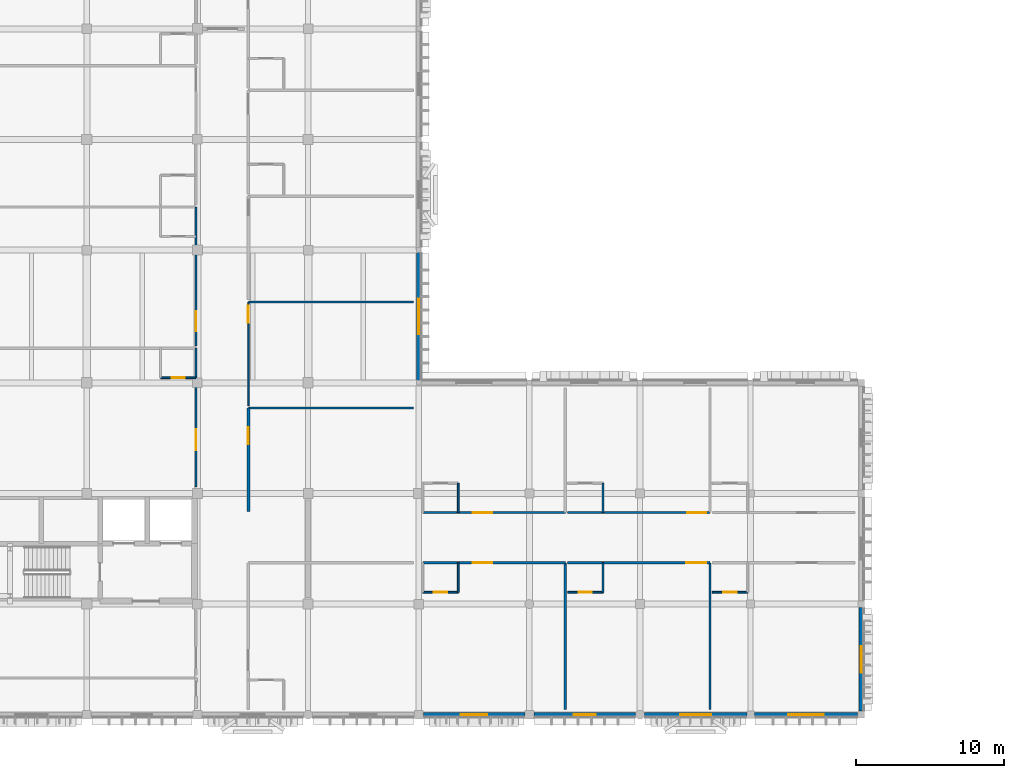
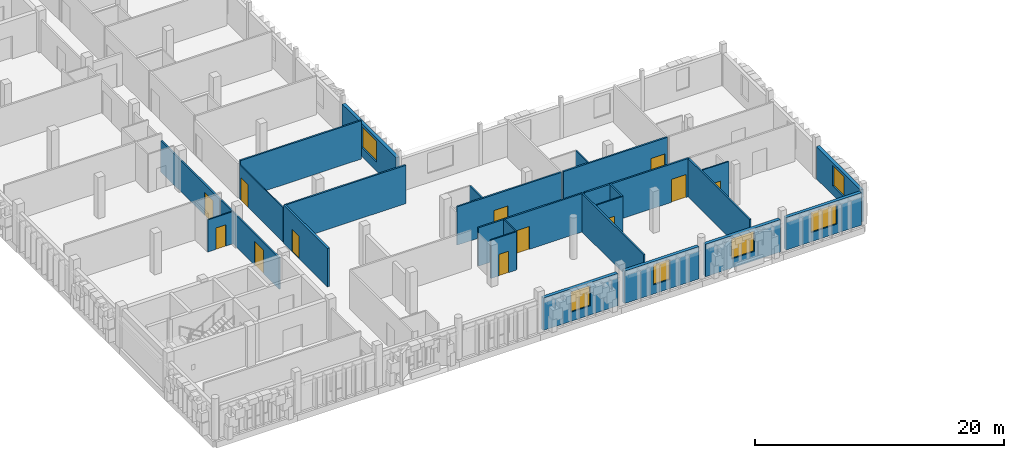
# One storey, part 16 of 48: 26 walls, 12 doors, 6 windows, 18 openings.
"""IFC4 building model written with IfcOpenShell, lengths in metres."""

from ifc_helpers import new_model, si_unit, direction, frame, frame_2d, origin, place, context, subcontext, project, spatial, rectangle, extrude, material, layer, layer_set, type_object, element, fill, save


model = new_model("IFC4")

# Units and contexts
model_context = context("Model", 3, precision=1e-05, world=origin(), true_north=direction((0.0, 1.0)))
body_context = subcontext(model_context, "Body", "Model", "MODEL_VIEW")
ifc_project = project(units=[si_unit("LENGTHUNIT", "METRE"), si_unit("AREAUNIT", "SQUARE_METRE"), si_unit("VOLUMEUNIT", "CUBIC_METRE"), si_unit("PLANEANGLEUNIT", "RADIAN"), si_unit("MASSUNIT", "GRAM", prefix="KILO")], contexts=[model_context])

# Site, building, storey
site_placement = place(None, origin())
site = spatial("IfcSite", under=ifc_project, at=site_placement, CompositionType="ELEMENT")
building_placement = place(site_placement, origin())
building = spatial("IfcBuilding", under=site, at=building_placement, Name="Dalvernix Boulevard General Hospital", CompositionType="ELEMENT")
storey_placement = place(building_placement, frame((0.0, 0.0, 17.85009765625)))
storey = spatial("IfcBuildingStorey", under=building, at=storey_placement, Name="L04", CompositionType="ELEMENT", Elevation=17.85009765625)

# Wall, opening, window
ifc_material_1 = material(Name="Pressed Catalan clay brick and ceramic spandrel wall C35/45", Category="masonry")
ifc_layer_1 = layer(ifc_material_1, 0.300048828125)
ifc_layer_set_1 = layer_set([ifc_layer_1], Name="Pressed Catalan clay brick and ceramic spandrel wall C35/45 (WAL-EW-02)")
wall_type_1 = type_object("IfcWallType", Name="WAL-EW-02", PredefinedType="STANDARD", material=ifc_layer_set_1)
wall_1_placement = place(storey_placement, frame((30.0, 31.330078125, 0.0), z_axis=(0.0, 0.0, 1.0), x_axis=(0.0, -1.0, 0.0)))
wall_1 = element("IfcWall", 1, at=wall_1_placement, inside=storey, type_object=wall_type_1, Name="L04 Catalan brick external wall E 4-3", PredefinedType="STANDARD", context=body_context, shape_type="SweptSolid", body=[
    extrude(rectangle(XDim=8.66015625, YDim=0.300048828125, at=frame_2d((4.330078125, 0.0))), origin(), (0.0, 0.0, 1.0), 3.219970703125),
])
opening_1_placement = place(wall_1_placement, frame((3.1298828125, 0.0, 0.89990234375)))
opening_1 = element("IfcOpeningElement", 2, at=opening_1_placement, cuts=wall_1, Name="Opening WN-04", PredefinedType="OPENING", context=body_context, shape_type="SweptSolid", body=[
    extrude(rectangle(XDim=2.39990234375, YDim=2.0400390625, at=frame_2d((1.199951171875, 1.02001953125))), frame((0.0, 0.159912109375, 0.0), z_axis=(0.0, -1.0, 0.0), x_axis=(1.0, 0.0, 0.0)), (0.0, 0.0, 1.0), 0.320068359375),
])
ifc_material_2 = material(Name="Thermally broken aluminium frame with solar-control double glazing", Category="aluminium")
window_type_1 = type_object("IfcWindowType", Name="WIN-WN-04", PartitioningType="SINGLE_PANEL", PredefinedType="WINDOW", material=ifc_material_2)
window_1_placement = place(opening_1_placement, origin())
window_1 = element("IfcWindow", 3, at=window_1_placement, inside=storey, type_object=window_type_1, Name="L04 clinical window WN-04 E 4-3", OverallHeight=2.0400390625, OverallWidth=2.39990234375, PartitioningType="SINGLE_PANEL", PredefinedType="WINDOW", context=body_context, shape_type="SweptSolid", body=[
    extrude(rectangle(XDim=2.39990234375, YDim=2.0400390625, at=frame_2d((1.199951171875, 1.02001953125))), frame((0.0, 0.030029296875, 0.0), z_axis=(0.0, -1.0, 0.0), x_axis=(1.0, 0.0, 0.0)), (0.0, 0.0, 1.0), 0.06005859375),
])
fill(opening_1, window_1)

wall_2_placement = place(storey_placement, frame((37.18994140625, 0.0, 0.0), z_axis=(0.0, 0.0, 1.0), x_axis=(-1.0, 0.0, 0.0)))
wall_2 = element("IfcWall", 4, at=wall_2_placement, inside=storey, type_object=wall_type_1, Name="L04 Catalan brick external wall S 4-0", PredefinedType="STANDARD", context=body_context, shape_type="SweptSolid", body=[
    extrude(rectangle(XDim=6.8798828125, YDim=0.300048828125, at=frame_2d((3.43994140625, 0.0))), origin(), (0.0, 0.0, 1.0), 3.169921875),
])
opening_2_placement = place(wall_2_placement, frame((2.5400390625, 0.0, 0.89990234375)))
opening_2 = element("IfcOpeningElement", 5, at=opening_2_placement, cuts=wall_2, Name="Opening WN-01", PredefinedType="OPENING", context=body_context, shape_type="SweptSolid", body=[
    extrude(rectangle(XDim=1.800048828125, YDim=1.989990234375, at=frame_2d((0.89990234375, 0.9951171875))), frame((0.0, 0.159912109375, 0.0), z_axis=(0.0, -1.0, 0.0), x_axis=(1.0, 0.0, 0.0)), (0.0, 0.0, 1.0), 0.320068359375),
])
window_type_2 = type_object("IfcWindowType", Name="WIN-WN-01", PartitioningType="SINGLE_PANEL", PredefinedType="WINDOW", material=ifc_material_2)
window_2_placement = place(opening_2_placement, origin())
window_2 = element("IfcWindow", 6, at=window_2_placement, inside=storey, type_object=window_type_2, Name="L04 clinical window WN-01 S 4-0", OverallHeight=1.989990234375, OverallWidth=1.800048828125, PartitioningType="SINGLE_PANEL", PredefinedType="WINDOW", context=body_context, shape_type="SweptSolid", body=[
    extrude(rectangle(XDim=1.800048828125, YDim=1.989990234375, at=frame_2d((0.89990234375, 0.9951171875))), frame((0.0, 0.030029296875, 0.0), z_axis=(0.0, -1.0, 0.0), x_axis=(1.0, 0.0, 0.0)), (0.0, 0.0, 1.0), 0.06005859375),
])
fill(opening_2, window_2)

wall_3_placement = place(storey_placement, frame((44.68994140625, 0.0, 0.0), z_axis=(0.0, 0.0, 1.0), x_axis=(-1.0, 0.0, 0.0)))
wall_3 = element("IfcWall", 7, at=wall_3_placement, inside=storey, type_object=wall_type_1, Name="L04 Catalan brick external wall S 5-0", PredefinedType="STANDARD", context=body_context, shape_type="SweptSolid", body=[
    extrude(rectangle(XDim=6.8798828125, YDim=0.300048828125, at=frame_2d((3.43994140625, 0.0))), origin(), (0.0, 0.0, 1.0), 3.169921875),
])
opening_3_placement = place(wall_3_placement, frame((2.68994140625, 0.0, 0.89990234375)))
opening_3 = element("IfcOpeningElement", 8, at=opening_3_placement, cuts=wall_3, Name="Opening WN-02", PredefinedType="OPENING", context=body_context, shape_type="SweptSolid", body=[
    extrude(rectangle(XDim=1.5, YDim=1.989990234375, at=frame_2d((0.75, 0.9951171875))), frame((0.0, 0.159912109375, 0.0), z_axis=(0.0, -1.0, 0.0), x_axis=(1.0, 0.0, 0.0)), (0.0, 0.0, 1.0), 0.320068359375),
])
window_type_3 = type_object("IfcWindowType", Name="WIN-WN-02", PartitioningType="SINGLE_PANEL", PredefinedType="WINDOW", material=ifc_material_2)
window_3_placement = place(opening_3_placement, origin())
window_3 = element("IfcWindow", 9, at=window_3_placement, inside=storey, type_object=window_type_3, Name="L04 clinical window WN-02 S 5-0", OverallHeight=1.989990234375, OverallWidth=1.5, PartitioningType="SINGLE_PANEL", PredefinedType="WINDOW", context=body_context, shape_type="SweptSolid", body=[
    extrude(rectangle(XDim=1.5, YDim=1.989990234375, at=frame_2d((0.75, 0.9951171875))), frame((0.0, 0.030029296875, 0.0), z_axis=(0.0, -1.0, 0.0), x_axis=(1.0, 0.0, 0.0)), (0.0, 0.0, 1.0), 0.06005859375),
])
fill(opening_3, window_3)

wall_4_placement = place(storey_placement, frame((52.239990234375, 0.0, 0.0), z_axis=(0.0, 0.0, 1.0), x_axis=(-1.0, 0.0, 0.0)))
wall_4 = element("IfcWall", 10, at=wall_4_placement, inside=storey, type_object=wall_type_1, Name="L04 Catalan brick external wall S 6-0", PredefinedType="STANDARD", context=body_context, shape_type="SweptSolid", body=[
    extrude(rectangle(XDim=6.929931640625, YDim=0.300048828125, at=frame_2d((3.46484375, 0.0))), origin(), (0.0, 0.0, 1.0), 3.169921875),
])
opening_4_placement = place(wall_4_placement, frame((2.4150390625, 0.0, 0.89990234375)))
opening_4 = element("IfcOpeningElement", 11, at=opening_4_placement, cuts=wall_4, Name="Opening WN-03", PredefinedType="OPENING", context=body_context, shape_type="SweptSolid", body=[
    extrude(rectangle(XDim=2.10009765625, YDim=1.989990234375, at=frame_2d((1.050048828125, 0.9951171875))), frame((0.0, 0.159912109375, 0.0), z_axis=(0.0, -1.0, 0.0), x_axis=(1.0, 0.0, 0.0)), (0.0, 0.0, 1.0), 0.320068359375),
])
window_type_4 = type_object("IfcWindowType", Name="WIN-WN-03", PartitioningType="SINGLE_PANEL", PredefinedType="WINDOW", material=ifc_material_2)
window_4_placement = place(opening_4_placement, origin())
window_4 = element("IfcWindow", 12, at=window_4_placement, inside=storey, type_object=window_type_4, Name="L04 clinical window WN-03 S 6-0", OverallHeight=1.989990234375, OverallWidth=2.10009765625, PartitioningType="SINGLE_PANEL", PredefinedType="WINDOW", context=body_context, shape_type="SweptSolid", body=[
    extrude(rectangle(XDim=2.10009765625, YDim=1.989990234375, at=frame_2d((1.050048828125, 0.9951171875))), frame((0.0, 0.030029296875, 0.0), z_axis=(0.0, -1.0, 0.0), x_axis=(1.0, 0.0, 0.0)), (0.0, 0.0, 1.0), 0.06005859375),
])
fill(opening_4, window_4)

wall_5_placement = place(storey_placement, frame((59.764892578125, 0.0, 0.0), z_axis=(0.0, 0.0, 1.0), x_axis=(-1.0, 0.0, 0.0)))
wall_5 = element("IfcWall", 13, at=wall_5_placement, inside=storey, type_object=wall_type_1, Name="L04 Catalan brick external wall S 7-0", PredefinedType="STANDARD", context=body_context, shape_type="SweptSolid", body=[
    extrude(rectangle(XDim=7.0048828125, YDim=0.300048828125, at=frame_2d((3.50244140625, 0.0))), origin(), (0.0, 0.0, 1.0), 3.169921875),
])
opening_5_placement = place(wall_5_placement, frame((2.302490234375, 0.0, 0.89990234375)))
opening_5 = element("IfcOpeningElement", 14, at=opening_5_placement, cuts=wall_5, Name="Opening WN-04", PredefinedType="OPENING", context=body_context, shape_type="SweptSolid", body=[
    extrude(rectangle(XDim=2.39990234375, YDim=1.989990234375, at=frame_2d((1.199951171875, 0.9951171875))), frame((0.0, 0.159912109375, 0.0), z_axis=(0.0, -1.0, 0.0), x_axis=(1.0, 0.0, 0.0)), (0.0, 0.0, 1.0), 0.320068359375),
])
window_5_placement = place(opening_5_placement, origin())
window_5 = element("IfcWindow", 15, at=window_5_placement, inside=storey, type_object=window_type_1, Name="L04 clinical window WN-04 S 7-0", OverallHeight=1.989990234375, OverallWidth=2.39990234375, PartitioningType="SINGLE_PANEL", PredefinedType="WINDOW", context=body_context, shape_type="SweptSolid", body=[
    extrude(rectangle(XDim=2.39990234375, YDim=1.989990234375, at=frame_2d((1.199951171875, 0.9951171875))), frame((0.0, 0.030029296875, 0.0), z_axis=(0.0, -1.0, 0.0), x_axis=(1.0, 0.0, 0.0)), (0.0, 0.0, 1.0), 0.06005859375),
])
fill(opening_5, window_5)

wall_6_placement = place(storey_placement, frame((60.0, 7.264892578125, 0.0), z_axis=(0.0, 0.0, 1.0), x_axis=(0.0, -1.0, 0.0)))
wall_6 = element("IfcWall", 16, at=wall_6_placement, inside=storey, type_object=wall_type_1, Name="L04 Catalan brick external wall E 8-0", PredefinedType="STANDARD", context=body_context, shape_type="SweptSolid", body=[
    extrude(rectangle(XDim=7.02978515625, YDim=0.300048828125, at=frame_2d((3.514892578125, 0.0))), origin(), (0.0, 0.0, 1.0), 3.169921875),
])
opening_6_placement = place(wall_6_placement, frame((2.614990234375, 0.0, 0.89990234375)))
opening_6 = element("IfcOpeningElement", 17, at=opening_6_placement, cuts=wall_6, Name="Opening WN-05", PredefinedType="OPENING", context=body_context, shape_type="SweptSolid", body=[
    extrude(rectangle(XDim=1.800048828125, YDim=1.989990234375, at=frame_2d((0.89990234375, 0.9951171875))), frame((0.0, 0.159912109375, 0.0), z_axis=(0.0, -1.0, 0.0), x_axis=(1.0, 0.0, 0.0)), (0.0, 0.0, 1.0), 0.320068359375),
])
window_type_5 = type_object("IfcWindowType", Name="WIN-WN-05", PartitioningType="SINGLE_PANEL", PredefinedType="WINDOW", material=ifc_material_2)
window_6_placement = place(opening_6_placement, origin())
window_6 = element("IfcWindow", 18, at=window_6_placement, inside=storey, type_object=window_type_5, Name="L04 clinical window WN-05 E 8-0", OverallHeight=1.989990234375, OverallWidth=1.800048828125, PartitioningType="SINGLE_PANEL", PredefinedType="WINDOW", context=body_context, shape_type="SweptSolid", body=[
    extrude(rectangle(XDim=1.800048828125, YDim=1.989990234375, at=frame_2d((0.89990234375, 0.9951171875))), frame((0.0, 0.030029296875, 0.0), z_axis=(0.0, -1.0, 0.0), x_axis=(1.0, 0.0, 0.0)), (0.0, 0.0, 1.0), 0.06005859375),
])
fill(opening_6, window_6)

# Wall, opening, door
ifc_material_3 = material(Name="Fire-compartment corridor masonry wall", Category="masonry")
ifc_layer_2 = layer(ifc_material_3, 0.199951171875)
ifc_layer_set_2 = layer_set([ifc_layer_2], Name="Fire-compartment corridor masonry wall (WAL-IW-02)")
wall_type_2 = type_object("IfcWallType", Name="WAL-IW-02", PredefinedType="STANDARD", material=ifc_layer_set_2)
wall_7_placement = place(storey_placement, frame((18.449951171875, 20.79736328125, 0.0), z_axis=(0.0, 0.0, 1.0), x_axis=(0.0, -1.0, 0.0)))
wall_7 = element("IfcWall", 19, at=wall_7_placement, inside=storey, type_object=wall_type_2, Name="L04 Ward Nurse Station and Medication Prep L04 corridor wall", PredefinedType="STANDARD", context=body_context, shape_type="SweptSolid", body=[
    extrude(rectangle(XDim=7.017333984375, YDim=0.199951171875, at=frame_2d((3.5087890625, 0.0))), origin(), (0.0, 0.0, 1.0), 3.7548828125),
])
opening_7_placement = place(wall_7_placement, frame((1.323486328125, 0.0, 0.0)))
opening_7 = element("IfcOpeningElement", 20, at=opening_7_placement, cuts=wall_7, Name="Opening ID-08", PredefinedType="OPENING", context=body_context, shape_type="SweptSolid", body=[
    extrude(rectangle(XDim=1.14990234375, YDim=2.199951171875, at=frame_2d((0.574951171875, 1.10009765625))), frame((0.0, 0.10986328125, 0.0), z_axis=(0.0, -1.0, 0.0), x_axis=(1.0, 0.0, 0.0)), (0.0, 0.0, 1.0), 0.219970703125),
])
ifc_material_4 = material(Name="Hospital laminate acoustic timber and steel frame", Category="steel")
door_type_1 = type_object("IfcDoorType", Name="DR-ID-08", OperationType="NOTDEFINED", PredefinedType="DOOR", material=ifc_material_4)
door_1_placement = place(opening_7_placement, origin())
door_1 = element("IfcDoor", 21, at=door_1_placement, inside=storey, type_object=door_type_1, Name="L04 Ward Nurse Station and Medication Prep L04 door", OperationType="SINGLE_SWING_LEFT", OverallHeight=2.199951171875, OverallWidth=1.14990234375, PredefinedType="DOOR", context=body_context, shape_type="SweptSolid", body=[
    extrude(rectangle(XDim=1.14990234375, YDim=2.199951171875, at=frame_2d((0.574951171875, 1.10009765625))), frame((0.0, 0.02490234375, 0.0), z_axis=(0.0, -1.0, 0.0), x_axis=(1.0, 0.0, 0.0)), (0.0, 0.0, 1.0), 0.050048828125),
])
fill(opening_7, door_1)

ifc_material_5 = material(Name="Acoustic double-stud gypsum inpatient partition")
ifc_layer_3 = layer(ifc_material_5, 0.14990234375)
ifc_layer_set_3 = layer_set([ifc_layer_3], Name="Acoustic double-stud gypsum inpatient partition (WAL-IW-04)")
wall_type_3 = type_object("IfcWallType", Name="WAL-IW-04", PredefinedType="PARTITIONING", material=ifc_layer_set_3)
wall_8_placement = place(storey_placement, frame((14.89990234375, 15.429931640625, 0.0), z_axis=(0.0, 0.0, 1.0), x_axis=(0.0, 1.0, 0.0)))
wall_8 = element("IfcWall", 22, at=wall_8_placement, inside=storey, type_object=wall_type_3, Name="L04 Four Bed Medical Inpatient Ward L04-W02 corridor wall", PredefinedType="PARTITIONING", context=body_context, shape_type="SweptSolid", body=[
    extrude(rectangle(XDim=9.4150390625, YDim=0.14990234375, at=frame_2d((4.70751953125, 0.0))), origin(), (0.0, 0.0, 1.0), 3.054931640625),
])
opening_8_placement = place(wall_8_placement, frame((2.489501953125, 0.0, 0.0)))
opening_8 = element("IfcOpeningElement", 23, at=opening_8_placement, cuts=wall_8, Name="Opening ID-02", PredefinedType="OPENING", context=body_context, shape_type="SweptSolid", body=[
    extrude(rectangle(XDim=1.449951171875, YDim=2.300048828125, at=frame_2d((0.72509765625, 1.14990234375))), frame((0.0, 0.0849609375, 0.0), z_axis=(0.0, -1.0, 0.0), x_axis=(1.0, 0.0, 0.0)), (0.0, 0.0, 1.0), 0.169921875),
])
door_type_2 = type_object("IfcDoorType", Name="DR-ID-02", OperationType="NOTDEFINED", PredefinedType="DOOR", material=ifc_material_4)
door_2_placement = place(opening_8_placement, origin())
door_2 = element("IfcDoor", 24, at=door_2_placement, inside=storey, type_object=door_type_2, Name="L04 Four Bed Medical Inpatient Ward L04-W02 door", OperationType="SINGLE_SWING_LEFT", OverallHeight=2.300048828125, OverallWidth=1.449951171875, PredefinedType="DOOR", context=body_context, shape_type="SweptSolid", body=[
    extrude(rectangle(XDim=1.449951171875, YDim=2.300048828125, at=frame_2d((0.72509765625, 1.14990234375))), frame((0.0, 0.02490234375, 0.0), z_axis=(0.0, -1.0, 0.0), x_axis=(1.0, 0.0, 0.0)), (0.0, 0.0, 1.0), 0.050048828125),
])
fill(opening_8, door_2)

wall_9_placement = place(storey_placement, frame((14.89990234375, 25.0048828125, 0.0), z_axis=(0.0, 0.0, 1.0), x_axis=(0.0, 1.0, 0.0)))
wall_9 = element("IfcWall", 25, at=wall_9_placement, inside=storey, type_object=wall_type_3, Name="L04 General Medical Single Patient Room L04-W03 corridor wall", PredefinedType="PARTITIONING", context=body_context, shape_type="SweptSolid", body=[
    extrude(rectangle(XDim=9.4150390625, YDim=0.14990234375, at=frame_2d((4.70751953125, 0.0))), origin(), (0.0, 0.0, 1.0), 3.054931640625),
])
opening_9_placement = place(wall_9_placement, frame((1.006591796875, 0.0, 0.0)))
opening_9 = element("IfcOpeningElement", 26, at=opening_9_placement, cuts=wall_9, Name="Opening ID-01", PredefinedType="OPENING", context=body_context, shape_type="SweptSolid", body=[
    extrude(rectangle(XDim=1.35009765625, YDim=2.25, at=frame_2d((0.675048828125, 1.125))), frame((0.0, 0.0849609375, 0.0), z_axis=(0.0, -1.0, 0.0), x_axis=(1.0, 0.0, 0.0)), (0.0, 0.0, 1.0), 0.169921875),
])
door_type_3 = type_object("IfcDoorType", Name="DR-ID-01", OperationType="NOTDEFINED", PredefinedType="DOOR", material=ifc_material_4)
door_3_placement = place(opening_9_placement, origin())
door_3 = element("IfcDoor", 27, at=door_3_placement, inside=storey, type_object=door_type_3, Name="L04 General Medical Single Patient Room L04-W03 door", OperationType="SINGLE_SWING_LEFT", OverallHeight=2.25, OverallWidth=1.35009765625, PredefinedType="DOOR", context=body_context, shape_type="SweptSolid", body=[
    extrude(rectangle(XDim=1.35009765625, YDim=2.25, at=frame_2d((0.675048828125, 1.125))), frame((0.0, 0.02490234375, 0.0), z_axis=(0.0, -1.0, 0.0), x_axis=(1.0, 0.0, 0.0)), (0.0, 0.0, 1.0), 0.050048828125),
])
fill(opening_9, door_3)

wall_10_placement = place(storey_placement, frame((39.936767578125, 10.300048828125, 0.0), z_axis=(0.0, 0.0, 1.0), x_axis=(-1.0, 0.0, 0.0)))
wall_10 = element("IfcWall", 28, at=wall_10_placement, inside=storey, type_object=wall_type_3, Name="L04 Inpatient Ward Suite L04-S1 corridor wall", PredefinedType="PARTITIONING", context=body_context, shape_type="SweptSolid", body=[
    extrude(rectangle(XDim=9.65673828125, YDim=0.14990234375, at=frame_2d((4.828369140625, 0.0))), origin(), (0.0, 0.0, 1.0), 3.7548828125),
])
opening_10_placement = place(wall_10_placement, frame((4.93408203125, 0.0, 0.0)))
opening_10 = element("IfcOpeningElement", 29, at=opening_10_placement, cuts=wall_10, Name="Opening ID-01", PredefinedType="OPENING", context=body_context, shape_type="SweptSolid", body=[
    extrude(rectangle(XDim=1.35009765625, YDim=2.25, at=frame_2d((0.675048828125, 1.125))), frame((0.0, 0.0849609375, 0.0), z_axis=(0.0, -1.0, 0.0), x_axis=(1.0, 0.0, 0.0)), (0.0, 0.0, 1.0), 0.169921875),
])
door_4_placement = place(opening_10_placement, origin())
door_4 = element("IfcDoor", 30, at=door_4_placement, inside=storey, type_object=door_type_3, Name="L04 Inpatient Ward Suite L04-S1 door", OperationType="SINGLE_SWING_LEFT", OverallHeight=2.25, OverallWidth=1.35009765625, PredefinedType="DOOR", context=body_context, shape_type="SweptSolid", body=[
    extrude(rectangle(XDim=1.35009765625, YDim=2.25, at=frame_2d((0.675048828125, 1.125))), frame((0.0, 0.02490234375, 0.0), z_axis=(0.0, -1.0, 0.0), x_axis=(1.0, 0.0, 0.0)), (0.0, 0.0, 1.0), 0.050048828125),
])
fill(opening_10, door_4)

wall_11_placement = place(storey_placement, frame((30.280029296875, 13.699951171875, 0.0), z_axis=(0.0, 0.0, 1.0), x_axis=(1.0, 0.0, 0.0)))
wall_11 = element("IfcWall", 31, at=wall_11_placement, inside=storey, type_object=wall_type_3, Name="L04 Isolation Patient Room L04-N1 corridor wall", PredefinedType="PARTITIONING", context=body_context, shape_type="SweptSolid", body=[
    extrude(rectangle(XDim=9.65673828125, YDim=0.14990234375, at=frame_2d((4.828369140625, 0.0))), origin(), (0.0, 0.0, 1.0), 3.7548828125),
])
opening_11_placement = place(wall_11_placement, frame((3.392578125, 0.0, 0.0)))
opening_11 = element("IfcOpeningElement", 32, at=opening_11_placement, cuts=wall_11, Name="Opening ID-03", PredefinedType="OPENING", context=body_context, shape_type="SweptSolid", body=[
    extrude(rectangle(XDim=1.300048828125, YDim=2.199951171875, at=frame_2d((0.64990234375, 1.10009765625))), frame((0.0, 0.0849609375, 0.0), z_axis=(0.0, -1.0, 0.0), x_axis=(1.0, 0.0, 0.0)), (0.0, 0.0, 1.0), 0.169921875),
])
door_type_4 = type_object("IfcDoorType", Name="DR-ID-03", OperationType="NOTDEFINED", PredefinedType="DOOR", material=ifc_material_4)
door_5_placement = place(opening_11_placement, origin())
door_5 = element("IfcDoor", 33, at=door_5_placement, inside=storey, type_object=door_type_4, Name="L04 Isolation Patient Room L04-N1 door", OperationType="SINGLE_SWING_LEFT", OverallHeight=2.199951171875, OverallWidth=1.300048828125, PredefinedType="DOOR", context=body_context, shape_type="SweptSolid", body=[
    extrude(rectangle(XDim=1.300048828125, YDim=2.199951171875, at=frame_2d((0.64990234375, 1.10009765625))), frame((0.0, 0.02490234375, 0.0), z_axis=(0.0, -1.0, 0.0), x_axis=(1.0, 0.0, 0.0)), (0.0, 0.0, 1.0), 0.050048828125),
])
fill(opening_11, door_5)

wall_12_placement = place(storey_placement, frame((49.75341796875, 10.300048828125, 0.0), z_axis=(0.0, 0.0, 1.0), x_axis=(-1.0, 0.0, 0.0)))
wall_12 = element("IfcWall", 34, at=wall_12_placement, inside=storey, type_object=wall_type_3, Name="L04 Inpatient Ward Suite L04-S2 corridor wall", PredefinedType="PARTITIONING", context=body_context, shape_type="SweptSolid", body=[
    extrude(rectangle(XDim=9.65673828125, YDim=0.14990234375, at=frame_2d((4.828369140625, 0.0))), origin(), (0.0, 0.0, 1.0), 3.7548828125),
])
opening_12_placement = place(wall_12_placement, frame((0.25, 0.0, 0.0)))
opening_12 = element("IfcOpeningElement", 35, at=opening_12_placement, cuts=wall_12, Name="Opening ID-01", PredefinedType="OPENING", context=body_context, shape_type="SweptSolid", body=[
    extrude(rectangle(XDim=1.35009765625, YDim=2.25, at=frame_2d((0.675048828125, 1.125))), frame((0.0, 0.0849609375, 0.0), z_axis=(0.0, -1.0, 0.0), x_axis=(1.0, 0.0, 0.0)), (0.0, 0.0, 1.0), 0.169921875),
])
door_6_placement = place(opening_12_placement, origin())
door_6 = element("IfcDoor", 36, at=door_6_placement, inside=storey, type_object=door_type_3, Name="L04 Inpatient Ward Suite L04-S2 door", OperationType="SINGLE_SWING_LEFT", OverallHeight=2.25, OverallWidth=1.35009765625, PredefinedType="DOOR", context=body_context, shape_type="SweptSolid", body=[
    extrude(rectangle(XDim=1.35009765625, YDim=2.25, at=frame_2d((0.675048828125, 1.125))), frame((0.0, 0.02490234375, 0.0), z_axis=(0.0, -1.0, 0.0), x_axis=(1.0, 0.0, 0.0)), (0.0, 0.0, 1.0), 0.050048828125),
])
fill(opening_12, door_6)

wall_13_placement = place(storey_placement, frame((40.0966796875, 13.699951171875, 0.0), z_axis=(0.0, 0.0, 1.0), x_axis=(1.0, 0.0, 0.0)))
wall_13 = element("IfcWall", 37, at=wall_13_placement, inside=storey, type_object=wall_type_3, Name="L04 Isolation Patient Room L04-N2 corridor wall", PredefinedType="PARTITIONING", context=body_context, shape_type="SweptSolid", body=[
    extrude(rectangle(XDim=9.65673828125, YDim=0.14990234375, at=frame_2d((4.828369140625, 0.0))), origin(), (0.0, 0.0, 1.0), 3.7548828125),
])
opening_13_placement = place(wall_13_placement, frame((8.106689453125, 0.0, 0.0)))
opening_13 = element("IfcOpeningElement", 38, at=opening_13_placement, cuts=wall_13, Name="Opening ID-03", PredefinedType="OPENING", context=body_context, shape_type="SweptSolid", body=[
    extrude(rectangle(XDim=1.300048828125, YDim=2.199951171875, at=frame_2d((0.64990234375, 1.10009765625))), frame((0.0, 0.0849609375, 0.0), z_axis=(0.0, -1.0, 0.0), x_axis=(1.0, 0.0, 0.0)), (0.0, 0.0, 1.0), 0.169921875),
])
door_7_placement = place(opening_13_placement, origin())
door_7 = element("IfcDoor", 39, at=door_7_placement, inside=storey, type_object=door_type_4, Name="L04 Isolation Patient Room L04-N2 door", OperationType="SINGLE_SWING_LEFT", OverallHeight=2.199951171875, OverallWidth=1.300048828125, PredefinedType="DOOR", context=body_context, shape_type="SweptSolid", body=[
    extrude(rectangle(XDim=1.300048828125, YDim=2.199951171875, at=frame_2d((0.64990234375, 1.10009765625))), frame((0.0, 0.02490234375, 0.0), z_axis=(0.0, -1.0, 0.0), x_axis=(1.0, 0.0, 0.0)), (0.0, 0.0, 1.0), 0.050048828125),
])
fill(opening_13, door_7)

# Walls
for number, where, z_axis, x_axis, name in (
    (40, (18.449951171875, 20.79736328125, 0.0), (0.0, 0.0, 1.0), (1.0, 0.0, 0.0), "L04 Ward Nurse Station and Medication Prep L04 partition"),
    (41, (18.449951171875, 27.974609375, 0.0), (0.0, 0.0, 1.0), (1.0, 0.0, 0.0), "L04 Clinical Treatment and Procedure Room L04 partition"),
):
    element("IfcWall", number, at=place(storey_placement, frame(where, z_axis=z_axis, x_axis=x_axis)), inside=storey, type_object=wall_type_3, Name=name, PredefinedType="PARTITIONING", context=body_context, shape_type="SweptSolid", body=[
        extrude(rectangle(XDim=11.199951171875, YDim=0.14990234375, at=frame_2d((5.60009765625, 0.0))), origin(), (0.0, 0.0, 1.0), 3.7548828125),
    ])
for number, where, z_axis, x_axis, name in (
    (42, (39.936767578125, 0.35009765625, 0.0), (0.0, 0.0, 1.0), (0.0, 1.0, 0.0), "L04 Inpatient Ward Suite L04-S1 partition"),
    (43, (49.75341796875, 0.35009765625, 0.0), (0.0, 0.0, 1.0), (0.0, 1.0, 0.0), "L04 Inpatient Ward Suite L04-S2 partition"),
):
    element("IfcWall", number, at=place(storey_placement, frame(where, z_axis=z_axis, x_axis=x_axis)), inside=storey, type_object=wall_type_3, Name=name, PredefinedType="PARTITIONING", context=body_context, shape_type="SweptSolid", body=[
        extrude(rectangle(XDim=9.949951171875, YDim=0.14990234375, at=frame_2d((4.97509765625, 0.0))), origin(), (0.0, 0.0, 1.0), 3.7548828125),
    ])

# Wall, opening, door
ifc_material_6 = material(Name="Moisture-resistant en-suite bathroom partition")
ifc_layer_4 = layer(ifc_material_6, 0.1201171875)
ifc_layer_set_4 = layer_set([ifc_layer_4], Name="Moisture-resistant en-suite bathroom partition (WAL-IW-05)")
wall_type_4 = type_object("IfcWallType", Name="WAL-IW-05", PredefinedType="PARTITIONING", material=ifc_layer_set_4)
wall_14_placement = place(storey_placement, frame((12.5, 22.844970703125, 0.0), z_axis=(0.0, 0.0, 1.0), x_axis=(1.0, 0.0, 0.0)))
wall_14 = element("IfcWall", 44, at=wall_14_placement, inside=storey, type_object=wall_type_4, Name="L04 en-suite bathroom door wall", PredefinedType="PARTITIONING", context=body_context, shape_type="SweptSolid", body=[
    extrude(rectangle(XDim=2.39990234375, YDim=0.1201171875, at=frame_2d((1.199951171875, 0.0))), origin(), (0.0, 0.0, 1.0), 3.15478515625),
])
opening_14_placement = place(wall_14_placement, frame((0.75, 0.0, 0.0)))
opening_14 = element("IfcOpeningElement", 45, at=opening_14_placement, cuts=wall_14, Name="Opening ID-05", PredefinedType="OPENING", context=body_context, shape_type="SweptSolid", body=[
    extrude(rectangle(XDim=0.89990234375, YDim=2.10009765625, at=frame_2d((0.449951171875, 1.050048828125))), frame((0.0, 0.070068359375, 0.0), z_axis=(0.0, -1.0, 0.0), x_axis=(1.0, 0.0, 0.0)), (0.0, 0.0, 1.0), 0.14013671875),
])
door_type_5 = type_object("IfcDoorType", Name="DR-ID-05", OperationType="NOTDEFINED", PredefinedType="DOOR", material=ifc_material_4)
door_8_placement = place(opening_14_placement, origin())
door_8 = element("IfcDoor", 46, at=door_8_placement, inside=storey, type_object=door_type_5, Name="L04 L04-WRD-W02 en-suite bathroom door", OperationType="SINGLE_SWING_RIGHT", OverallHeight=2.10009765625, OverallWidth=0.89990234375, PredefinedType="DOOR", context=body_context, shape_type="SweptSolid", body=[
    extrude(rectangle(XDim=0.89990234375, YDim=2.10009765625, at=frame_2d((0.449951171875, 1.050048828125))), frame((0.0, 0.02490234375, 0.0), z_axis=(0.0, -1.0, 0.0), x_axis=(1.0, 0.0, 0.0)), (0.0, 0.0, 1.0), 0.050048828125),
])
fill(opening_14, door_8)

wall_15_placement = place(storey_placement, frame((30.280029296875, 8.300048828125, 0.0), z_axis=(0.0, 0.0, 1.0), x_axis=(1.0, 0.0, 0.0)))
wall_15 = element("IfcWall", 47, at=wall_15_placement, inside=storey, type_object=wall_type_4, Name="L04 en-suite bathroom door wall", PredefinedType="PARTITIONING", context=body_context, shape_type="SweptSolid", body=[
    extrude(rectangle(XDim=2.39990234375, YDim=0.1201171875, at=frame_2d((1.199951171875, 0.0))), origin(), (0.0, 0.0, 1.0), 3.7548828125),
])
opening_15_placement = place(wall_15_placement, frame((0.75, 0.0, 0.0)))
opening_15 = element("IfcOpeningElement", 48, at=opening_15_placement, cuts=wall_15, Name="Opening ID-05", PredefinedType="OPENING", context=body_context, shape_type="SweptSolid", body=[
    extrude(rectangle(XDim=0.89990234375, YDim=2.10009765625, at=frame_2d((0.449951171875, 1.050048828125))), frame((0.0, 0.070068359375, 0.0), z_axis=(0.0, -1.0, 0.0), x_axis=(1.0, 0.0, 0.0)), (0.0, 0.0, 1.0), 0.14013671875),
])
door_9_placement = place(opening_15_placement, origin())
door_9 = element("IfcDoor", 49, at=door_9_placement, inside=storey, type_object=door_type_5, Name="L04 L04-SW-S1 en-suite bathroom door", OperationType="SINGLE_SWING_RIGHT", OverallHeight=2.10009765625, OverallWidth=0.89990234375, PredefinedType="DOOR", context=body_context, shape_type="SweptSolid", body=[
    extrude(rectangle(XDim=0.89990234375, YDim=2.10009765625, at=frame_2d((0.449951171875, 1.050048828125))), frame((0.0, 0.02490234375, 0.0), z_axis=(0.0, -1.0, 0.0), x_axis=(1.0, 0.0, 0.0)), (0.0, 0.0, 1.0), 0.050048828125),
])
fill(opening_15, door_9)

# Walls
for number, where, z_axis, x_axis, name in (
    (50, (32.679931640625, 8.300048828125, 0.0), (0.0, 0.0, 1.0), (0.0, 1.0, 0.0), "L04 en-suite bathroom side wall"),
    (51, (32.679931640625, 13.699951171875, 0.0), (0.0, 0.0, 1.0), (0.0, 1.0, 0.0), "L04 en-suite bathroom side wall"),
):
    element("IfcWall", number, at=place(storey_placement, frame(where, z_axis=z_axis, x_axis=x_axis)), inside=storey, type_object=wall_type_4, Name=name, PredefinedType="PARTITIONING", context=body_context, shape_type="SweptSolid", body=[
        extrude(rectangle(XDim=2.0, YDim=0.1201171875, at=frame_2d((1.0, 0.0))), origin(), (0.0, 0.0, 1.0), 3.7548828125),
    ])

# Wall, opening, door
wall_16_placement = place(storey_placement, frame((40.0966796875, 8.300048828125, 0.0), z_axis=(0.0, 0.0, 1.0), x_axis=(1.0, 0.0, 0.0)))
wall_16 = element("IfcWall", 52, at=wall_16_placement, inside=storey, type_object=wall_type_4, Name="L04 en-suite bathroom door wall", PredefinedType="PARTITIONING", context=body_context, shape_type="SweptSolid", body=[
    extrude(rectangle(XDim=2.39990234375, YDim=0.1201171875, at=frame_2d((1.199951171875, 0.0))), origin(), (0.0, 0.0, 1.0), 3.7548828125),
])
opening_16_placement = place(wall_16_placement, frame((0.75, 0.0, 0.0)))
opening_16 = element("IfcOpeningElement", 53, at=opening_16_placement, cuts=wall_16, Name="Opening ID-05", PredefinedType="OPENING", context=body_context, shape_type="SweptSolid", body=[
    extrude(rectangle(XDim=0.89990234375, YDim=2.10009765625, at=frame_2d((0.449951171875, 1.050048828125))), frame((0.0, 0.070068359375, 0.0), z_axis=(0.0, -1.0, 0.0), x_axis=(1.0, 0.0, 0.0)), (0.0, 0.0, 1.0), 0.14013671875),
])
door_10_placement = place(opening_16_placement, origin())
door_10 = element("IfcDoor", 54, at=door_10_placement, inside=storey, type_object=door_type_5, Name="L04 L04-SW-S2 en-suite bathroom door", OperationType="SINGLE_SWING_RIGHT", OverallHeight=2.10009765625, OverallWidth=0.89990234375, PredefinedType="DOOR", context=body_context, shape_type="SweptSolid", body=[
    extrude(rectangle(XDim=0.89990234375, YDim=2.10009765625, at=frame_2d((0.449951171875, 1.050048828125))), frame((0.0, 0.02490234375, 0.0), z_axis=(0.0, -1.0, 0.0), x_axis=(1.0, 0.0, 0.0)), (0.0, 0.0, 1.0), 0.050048828125),
])
fill(opening_16, door_10)

# Walls
for number, where, z_axis, x_axis, name in (
    (55, (42.49658203125, 8.300048828125, 0.0), (0.0, 0.0, 1.0), (0.0, 1.0, 0.0), "L04 en-suite bathroom side wall"),
    (56, (42.49658203125, 13.699951171875, 0.0), (0.0, 0.0, 1.0), (0.0, 1.0, 0.0), "L04 en-suite bathroom side wall"),
):
    element("IfcWall", number, at=place(storey_placement, frame(where, z_axis=z_axis, x_axis=x_axis)), inside=storey, type_object=wall_type_4, Name=name, PredefinedType="PARTITIONING", context=body_context, shape_type="SweptSolid", body=[
        extrude(rectangle(XDim=2.0, YDim=0.1201171875, at=frame_2d((1.0, 0.0))), origin(), (0.0, 0.0, 1.0), 3.7548828125),
    ])

# Wall, opening, door
wall_17_placement = place(storey_placement, frame((49.913330078125, 8.300048828125, 0.0), z_axis=(0.0, 0.0, 1.0), x_axis=(1.0, 0.0, 0.0)))
wall_17 = element("IfcWall", 57, at=wall_17_placement, inside=storey, type_object=wall_type_4, Name="L04 en-suite bathroom door wall", PredefinedType="PARTITIONING", context=body_context, shape_type="SweptSolid", body=[
    extrude(rectangle(XDim=2.39990234375, YDim=0.1201171875, at=frame_2d((1.199951171875, 0.0))), origin(), (0.0, 0.0, 1.0), 3.7548828125),
])
opening_17_placement = place(wall_17_placement, frame((0.75, 0.0, 0.0)))
opening_17 = element("IfcOpeningElement", 58, at=opening_17_placement, cuts=wall_17, Name="Opening ID-05", PredefinedType="OPENING", context=body_context, shape_type="SweptSolid", body=[
    extrude(rectangle(XDim=0.89990234375, YDim=2.10009765625, at=frame_2d((0.449951171875, 1.050048828125))), frame((0.0, 0.070068359375, 0.0), z_axis=(0.0, -1.0, 0.0), x_axis=(1.0, 0.0, 0.0)), (0.0, 0.0, 1.0), 0.14013671875),
])
door_11_placement = place(opening_17_placement, origin())
door_11 = element("IfcDoor", 59, at=door_11_placement, inside=storey, type_object=door_type_5, Name="L04 L04-SW-S3 en-suite bathroom door", OperationType="SINGLE_SWING_RIGHT", OverallHeight=2.10009765625, OverallWidth=0.89990234375, PredefinedType="DOOR", context=body_context, shape_type="SweptSolid", body=[
    extrude(rectangle(XDim=0.89990234375, YDim=2.10009765625, at=frame_2d((0.449951171875, 1.050048828125))), frame((0.0, 0.02490234375, 0.0), z_axis=(0.0, -1.0, 0.0), x_axis=(1.0, 0.0, 0.0)), (0.0, 0.0, 1.0), 0.050048828125),
])
fill(opening_17, door_11)

ifc_material_7 = material(Name="Fire-resisting clinical sub-partition")
ifc_layer_5 = layer(ifc_material_7, 0.10009765625)
ifc_layer_set_5 = layer_set([ifc_layer_5], Name="Fire-resisting clinical sub-partition (WAL-IW-06)")
wall_type_5 = type_object("IfcWallType", Name="WAL-IW-06", PredefinedType="PARTITIONING", material=ifc_layer_set_5)
wall_18_placement = place(storey_placement, frame((18.449951171875, 27.974609375, 0.0), z_axis=(0.0, 0.0, 1.0), x_axis=(0.0, -1.0, 0.0)))
wall_18 = element("IfcWall", 60, at=wall_18_placement, inside=storey, type_object=wall_type_5, Name="L04 Clinical Treatment and Procedure Room L04 corridor wall", PredefinedType="PARTITIONING", context=body_context, shape_type="SweptSolid", body=[
    extrude(rectangle(XDim=7.017333984375, YDim=0.10009765625, at=frame_2d((3.5087890625, 0.0))), origin(), (0.0, 0.0, 1.0), 3.35498046875),
])
opening_18_placement = place(wall_18_placement, frame((0.25, 0.0, 0.0)))
opening_18 = element("IfcOpeningElement", 61, at=opening_18_placement, cuts=wall_18, Name="Opening ID-08", PredefinedType="OPENING", context=body_context, shape_type="SweptSolid", body=[
    extrude(rectangle(XDim=1.14990234375, YDim=2.199951171875, at=frame_2d((0.574951171875, 1.10009765625))), frame((0.0, 0.06005859375, 0.0), z_axis=(0.0, -1.0, 0.0), x_axis=(1.0, 0.0, 0.0)), (0.0, 0.0, 1.0), 0.1201171875),
])
door_12_placement = place(opening_18_placement, origin())
door_12 = element("IfcDoor", 62, at=door_12_placement, inside=storey, type_object=door_type_1, Name="L04 Clinical Treatment and Procedure Room L04 door", OperationType="SINGLE_SWING_RIGHT", OverallHeight=2.199951171875, OverallWidth=1.14990234375, PredefinedType="DOOR", context=body_context, shape_type="SweptSolid", body=[
    extrude(rectangle(XDim=1.14990234375, YDim=2.199951171875, at=frame_2d((0.574951171875, 1.10009765625))), frame((0.0, 0.02490234375, 0.0), z_axis=(0.0, -1.0, 0.0), x_axis=(1.0, 0.0, 0.0)), (0.0, 0.0, 1.0), 0.050048828125),
])
fill(opening_18, door_12)

save(model, "model.ifc")
